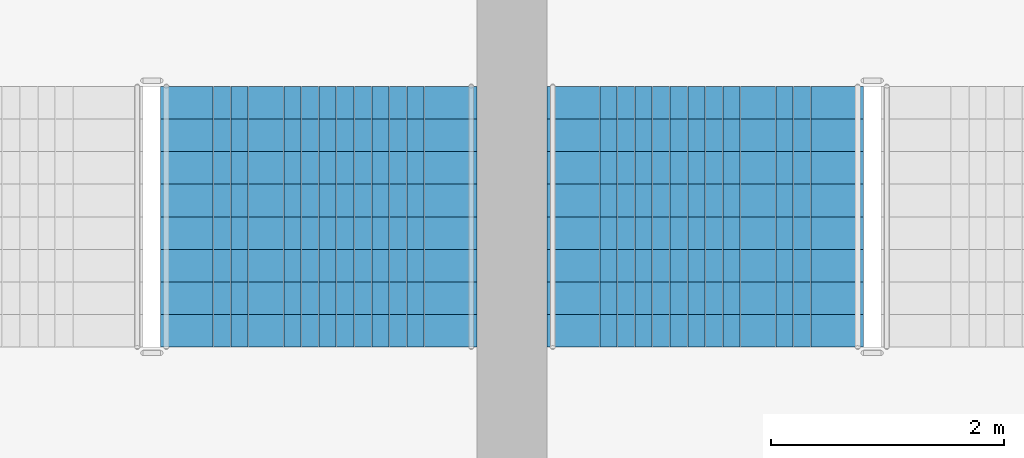
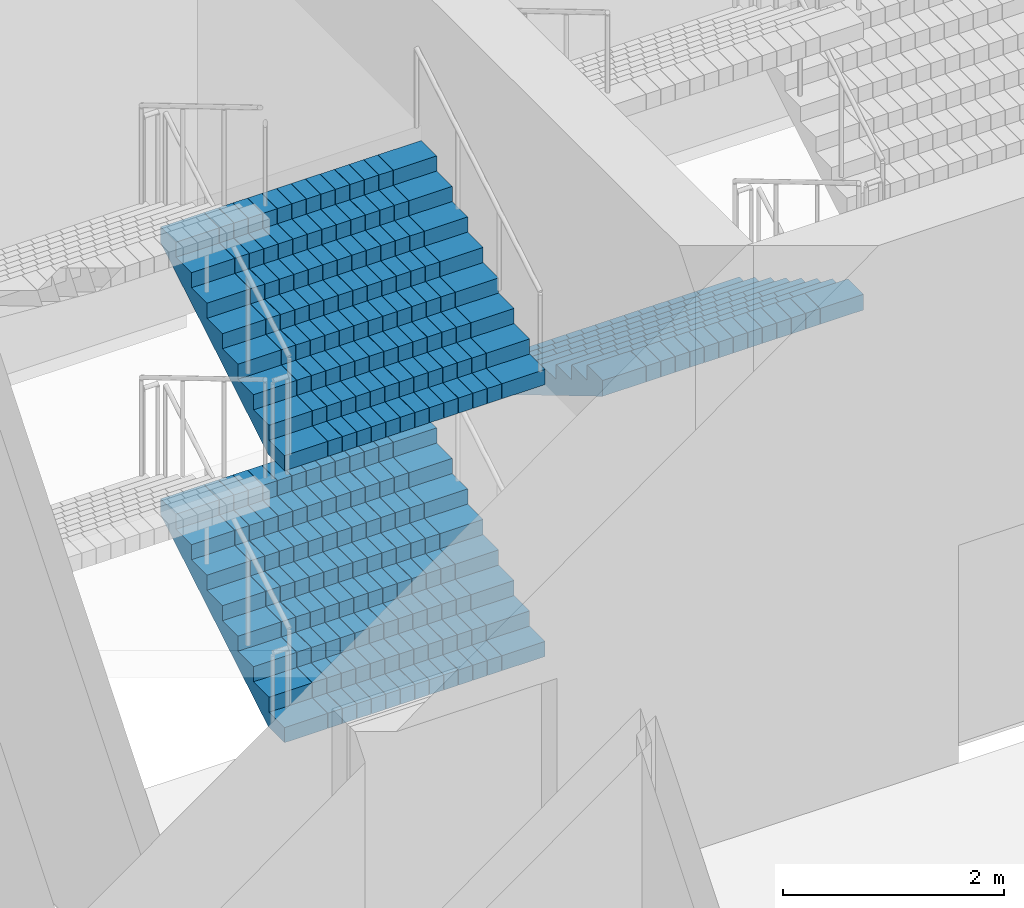
# One storey, part 43 of 61: 3 stair flights, 2 elements without a shape of their own.
"""IFC4 building model written with IfcOpenShell, lengths in metres."""

from ifc_helpers import new_model, si_unit, direction, frame, origin, place, context, subcontext, project, spatial, polyline, outline, extrude, material, type_object, element, aggregate, save


model = new_model("IFC4")

# Units and contexts
model_context = context("Model", 3, precision=1e-05, world=origin(), true_north=direction((0.0, 1.0)))
body_context = subcontext(model_context, "Body", "Model", "MODEL_VIEW")
ifc_project = project(units=[si_unit("LENGTHUNIT", "METRE"), si_unit("AREAUNIT", "SQUARE_METRE"), si_unit("VOLUMEUNIT", "CUBIC_METRE"), si_unit("PLANEANGLEUNIT", "RADIAN"), si_unit("MASSUNIT", "GRAM", prefix="KILO")], contexts=[model_context])

# Site, building, storey
site_placement = place(None, origin())
site = spatial("IfcSite", under=ifc_project, at=site_placement, CompositionType="ELEMENT")
building_placement = place(site_placement, origin())
building = spatial("IfcBuilding", under=site, at=building_placement, Name="Corbelhall Arena Tower", CompositionType="ELEMENT")
storey_placement = place(building_placement, frame((0.0, 0.0, 31.0)))
storey = spatial("IfcBuildingStorey", under=building, at=storey_placement, Name="L04", CompositionType="ELEMENT", Elevation=31.0)

# Stair, stair flight
ifc_material = material(Name="Reinforced concrete C40/50", Category="concrete")
stair_type = type_object("IfcStairType", Name="AR-EXIT-STAIR", PredefinedType="HALF_TURN_STAIR", material=ifc_material)
stair_1_placement = place(storey_placement, origin())
stair_1 = element("IfcStair", 1, at=stair_1_placement, inside=storey, type_object=stair_type, Name="L04 exit stair AS3", PredefinedType="HALF_TURN_STAIR")
stair_flight_type = type_object("IfcStairFlightType", Name="AR-EXIT-FLIGHT", PredefinedType="STRAIGHT", material=ifc_material)
stair_flight_1_placement = place(storey_placement, frame((-38.840087890625, 29.56005859375, 1.5), z_axis=(0.0, 0.0, 1.0), x_axis=(0.0, -1.0, 0.0)))
stair_flight_1 = element("IfcStairFlight", 2, at=stair_flight_1_placement, type_object=stair_flight_type, Name="AS3 flight 2", NumberOfRisers=9, NumberOfTreads=8, PredefinedType="STRAIGHT", RiserHeight=0.166666667, TreadLength=0.28, context=body_context, shape_type="SweptSolid", body=[
    extrude(outline(polyline([(0.0, 0.0), (0.0, 0.166748046875), (0.280029296875, 0.166748046875), (0.280029296875, 0.333251953125), (0.56005859375, 0.333251953125), (0.56005859375, 0.5), (0.840087890625, 0.5), (0.840087890625, 0.666748046875), (1.1201171875, 0.666748046875), (1.1201171875, 0.833251953125), (1.39990234375, 0.833251953125), (1.39990234375, 1.0), (1.679931640625, 1.0), (1.679931640625, 1.166748046875), (1.9599609375, 1.166748046875), (1.9599609375, 1.333251953125), (2.239990234375, 1.333251953125), (2.239990234375, 1.5), (2.239990234375, 1.158935546875), (0.29296875, 0.0), (0.0, 0.0)])), frame((0.0, 1.35986328125, 0.0), z_axis=(0.0, -1.0, 0.0), x_axis=(1.0, 0.0, 0.0)), (0.0, 0.0, 1.0), 0.449951171875),
    extrude(outline(polyline([(0.0, 0.0), (0.0, 0.166748046875), (0.280029296875, 0.166748046875), (0.280029296875, 0.333251953125), (0.56005859375, 0.333251953125), (0.56005859375, 0.5), (0.840087890625, 0.5), (0.840087890625, 0.666748046875), (1.1201171875, 0.666748046875), (1.1201171875, 0.833251953125), (1.39990234375, 0.833251953125), (1.39990234375, 1.0), (1.679931640625, 1.0), (1.679931640625, 1.166748046875), (1.9599609375, 1.166748046875), (1.9599609375, 1.333251953125), (2.239990234375, 1.333251953125), (2.239990234375, 1.5), (2.239990234375, 1.158935546875), (0.29296875, 0.0), (0.0, 0.0)])), frame((0.0, 0.906005859375, 0.0), z_axis=(0.0, -1.0, 0.0), x_axis=(1.0, 0.0, 0.0)), (0.0, 0.0, 1.0), 0.147216796875),
    extrude(outline(polyline([(0.0, 0.0), (0.0, 0.166748046875), (0.280029296875, 0.166748046875), (0.280029296875, 0.333251953125), (0.56005859375, 0.333251953125), (0.56005859375, 0.5), (0.840087890625, 0.5), (0.840087890625, 0.666748046875), (1.1201171875, 0.666748046875), (1.1201171875, 0.833251953125), (1.39990234375, 0.833251953125), (1.39990234375, 1.0), (1.679931640625, 1.0), (1.679931640625, 1.166748046875), (1.9599609375, 1.166748046875), (1.9599609375, 1.333251953125), (2.239990234375, 1.333251953125), (2.239990234375, 1.5), (2.239990234375, 1.158935546875), (0.29296875, 0.0), (0.0, 0.0)])), frame((0.0, 0.754638671875, 0.0), z_axis=(0.0, -1.0, 0.0), x_axis=(1.0, 0.0, 0.0)), (0.0, 0.0, 1.0), 0.147216796875),
    extrude(outline(polyline([(0.0, 0.0), (0.0, 0.166748046875), (0.280029296875, 0.166748046875), (0.280029296875, 0.333251953125), (0.56005859375, 0.333251953125), (0.56005859375, 0.5), (0.840087890625, 0.5), (0.840087890625, 0.666748046875), (1.1201171875, 0.666748046875), (1.1201171875, 0.833251953125), (1.39990234375, 0.833251953125), (1.39990234375, 1.0), (1.679931640625, 1.0), (1.679931640625, 1.166748046875), (1.9599609375, 1.166748046875), (1.9599609375, 1.333251953125), (2.239990234375, 1.333251953125), (2.239990234375, 1.5), (2.239990234375, 1.158935546875), (0.29296875, 0.0), (0.0, 0.0)])), frame((0.0, 0.603271484375, 0.0), z_axis=(0.0, -1.0, 0.0), x_axis=(1.0, 0.0, 0.0)), (0.0, 0.0, 1.0), 0.147216796875),
    extrude(outline(polyline([(0.0, 0.0), (0.0, 0.166748046875), (0.280029296875, 0.166748046875), (0.280029296875, 0.333251953125), (0.56005859375, 0.333251953125), (0.56005859375, 0.5), (0.840087890625, 0.5), (0.840087890625, 0.666748046875), (1.1201171875, 0.666748046875), (1.1201171875, 0.833251953125), (1.39990234375, 0.833251953125), (1.39990234375, 1.0), (1.679931640625, 1.0), (1.679931640625, 1.166748046875), (1.9599609375, 1.166748046875), (1.9599609375, 1.333251953125), (2.239990234375, 1.333251953125), (2.239990234375, 1.5), (2.239990234375, 1.158935546875), (0.29296875, 0.0), (0.0, 0.0)])), frame((0.0, 0.451904296875, 0.0), z_axis=(0.0, -1.0, 0.0), x_axis=(1.0, 0.0, 0.0)), (0.0, 0.0, 1.0), 0.147216796875),
    extrude(outline(polyline([(0.0, 0.0), (0.0, 0.166748046875), (0.280029296875, 0.166748046875), (0.280029296875, 0.333251953125), (0.56005859375, 0.333251953125), (0.56005859375, 0.5), (0.840087890625, 0.5), (0.840087890625, 0.666748046875), (1.1201171875, 0.666748046875), (1.1201171875, 0.833251953125), (1.39990234375, 0.833251953125), (1.39990234375, 1.0), (1.679931640625, 1.0), (1.679931640625, 1.166748046875), (1.9599609375, 1.166748046875), (1.9599609375, 1.333251953125), (2.239990234375, 1.333251953125), (2.239990234375, 1.5), (2.239990234375, 1.158935546875), (0.29296875, 0.0), (0.0, 0.0)])), frame((0.0, 0.30078125, 0.0), z_axis=(0.0, -1.0, 0.0), x_axis=(1.0, 0.0, 0.0)), (0.0, 0.0, 1.0), 0.147216796875),
    extrude(outline(polyline([(0.0, 0.0), (0.0, 0.166748046875), (0.280029296875, 0.166748046875), (0.280029296875, 0.333251953125), (0.56005859375, 0.333251953125), (0.56005859375, 0.5), (0.840087890625, 0.5), (0.840087890625, 0.666748046875), (1.1201171875, 0.666748046875), (1.1201171875, 0.833251953125), (1.39990234375, 0.833251953125), (1.39990234375, 1.0), (1.679931640625, 1.0), (1.679931640625, 1.166748046875), (1.9599609375, 1.166748046875), (1.9599609375, 1.333251953125), (2.239990234375, 1.333251953125), (2.239990234375, 1.5), (2.239990234375, 1.158935546875), (0.29296875, 0.0), (0.0, 0.0)])), frame((0.0, 0.1494140625, 0.0), z_axis=(0.0, -1.0, 0.0), x_axis=(1.0, 0.0, 0.0)), (0.0, 0.0, 1.0), 0.147216796875),
    extrude(outline(polyline([(0.0, 0.0), (0.0, 0.166748046875), (0.280029296875, 0.166748046875), (0.280029296875, 0.333251953125), (0.56005859375, 0.333251953125), (0.56005859375, 0.5), (0.840087890625, 0.5), (0.840087890625, 0.666748046875), (1.1201171875, 0.666748046875), (1.1201171875, 0.833251953125), (1.39990234375, 0.833251953125), (1.39990234375, 1.0), (1.679931640625, 1.0), (1.679931640625, 1.166748046875), (1.9599609375, 1.166748046875), (1.9599609375, 1.333251953125), (2.239990234375, 1.333251953125), (2.239990234375, 1.5), (2.239990234375, 1.158935546875), (0.29296875, 0.0), (0.0, 0.0)])), frame((0.0, -0.001953125, 0.0), z_axis=(0.0, -1.0, 0.0), x_axis=(1.0, 0.0, 0.0)), (0.0, 0.0, 1.0), 0.147216796875),
    extrude(outline(polyline([(0.0, 0.0), (0.0, 0.166748046875), (0.280029296875, 0.166748046875), (0.280029296875, 0.333251953125), (0.56005859375, 0.333251953125), (0.56005859375, 0.5), (0.840087890625, 0.5), (0.840087890625, 0.666748046875), (1.1201171875, 0.666748046875), (1.1201171875, 0.833251953125), (1.39990234375, 0.833251953125), (1.39990234375, 1.0), (1.679931640625, 1.0), (1.679931640625, 1.166748046875), (1.9599609375, 1.166748046875), (1.9599609375, 1.333251953125), (2.239990234375, 1.333251953125), (2.239990234375, 1.5), (2.239990234375, 1.158935546875), (0.29296875, 0.0), (0.0, 0.0)])), frame((0.0, -0.1533203125, 0.0), z_axis=(0.0, -1.0, 0.0), x_axis=(1.0, 0.0, 0.0)), (0.0, 0.0, 1.0), 0.147216796875),
    extrude(outline(polyline([(0.0, 0.0), (0.0, 0.166748046875), (0.280029296875, 0.166748046875), (0.280029296875, 0.333251953125), (0.56005859375, 0.333251953125), (0.56005859375, 0.5), (0.840087890625, 0.5), (0.840087890625, 0.666748046875), (1.1201171875, 0.666748046875), (1.1201171875, 0.833251953125), (1.39990234375, 0.833251953125), (1.39990234375, 1.0), (1.679931640625, 1.0), (1.679931640625, 1.166748046875), (1.9599609375, 1.166748046875), (1.9599609375, 1.333251953125), (2.239990234375, 1.333251953125), (2.239990234375, 1.5), (2.239990234375, 1.158935546875), (0.29296875, 0.0), (0.0, 0.0)])), frame((0.0, -0.3046875, 0.0), z_axis=(0.0, -1.0, 0.0), x_axis=(1.0, 0.0, 0.0)), (0.0, 0.0, 1.0), 0.147216796875),
    extrude(outline(polyline([(0.0, 0.0), (0.0, 0.166748046875), (0.280029296875, 0.166748046875), (0.280029296875, 0.333251953125), (0.56005859375, 0.333251953125), (0.56005859375, 0.5), (0.840087890625, 0.5), (0.840087890625, 0.666748046875), (1.1201171875, 0.666748046875), (1.1201171875, 0.833251953125), (1.39990234375, 0.833251953125), (1.39990234375, 1.0), (1.679931640625, 1.0), (1.679931640625, 1.166748046875), (1.9599609375, 1.166748046875), (1.9599609375, 1.333251953125), (2.239990234375, 1.333251953125), (2.239990234375, 1.5), (2.239990234375, 1.158935546875), (0.29296875, 0.0), (0.0, 0.0)])), frame((0.0, -0.4560546875, 0.0), z_axis=(0.0, -1.0, 0.0), x_axis=(1.0, 0.0, 0.0)), (0.0, 0.0, 1.0), 0.147216796875),
    extrude(outline(polyline([(0.0, 0.0), (0.0, 0.166748046875), (0.280029296875, 0.166748046875), (0.280029296875, 0.333251953125), (0.56005859375, 0.333251953125), (0.56005859375, 0.5), (0.840087890625, 0.5), (0.840087890625, 0.666748046875), (1.1201171875, 0.666748046875), (1.1201171875, 0.833251953125), (1.39990234375, 0.833251953125), (1.39990234375, 1.0), (1.679931640625, 1.0), (1.679931640625, 1.166748046875), (1.9599609375, 1.166748046875), (1.9599609375, 1.333251953125), (2.239990234375, 1.333251953125), (2.239990234375, 1.5), (2.239990234375, 1.158935546875), (0.29296875, 0.0), (0.0, 0.0)])), frame((0.0, -0.607421875, 0.0), z_axis=(0.0, -1.0, 0.0), x_axis=(1.0, 0.0, 0.0)), (0.0, 0.0, 1.0), 0.147216796875),
    extrude(outline(polyline([(0.0, 0.0), (0.0, 0.166748046875), (0.280029296875, 0.166748046875), (0.280029296875, 0.333251953125), (0.56005859375, 0.333251953125), (0.56005859375, 0.5), (0.840087890625, 0.5), (0.840087890625, 0.666748046875), (1.1201171875, 0.666748046875), (1.1201171875, 0.833251953125), (1.39990234375, 0.833251953125), (1.39990234375, 1.0), (1.679931640625, 1.0), (1.679931640625, 1.166748046875), (1.9599609375, 1.166748046875), (1.9599609375, 1.333251953125), (2.239990234375, 1.333251953125), (2.239990234375, 1.5), (2.239990234375, 1.158935546875), (0.29296875, 0.0), (0.0, 0.0)])), frame((0.0, -0.758544921875, 0.0), z_axis=(0.0, -1.0, 0.0), x_axis=(1.0, 0.0, 0.0)), (0.0, 0.0, 1.0), 0.147216796875),
    extrude(outline(polyline([(0.0, 0.0), (0.0, 0.166748046875), (0.280029296875, 0.166748046875), (0.280029296875, 0.333251953125), (0.56005859375, 0.333251953125), (0.56005859375, 0.5), (0.840087890625, 0.5), (0.840087890625, 0.666748046875), (1.1201171875, 0.666748046875), (1.1201171875, 0.833251953125), (1.39990234375, 0.833251953125), (1.39990234375, 1.0), (1.679931640625, 1.0), (1.679931640625, 1.166748046875), (1.9599609375, 1.166748046875), (1.9599609375, 1.333251953125), (2.239990234375, 1.333251953125), (2.239990234375, 1.5), (2.239990234375, 1.158935546875), (0.29296875, 0.0), (0.0, 0.0)])), frame((0.0, -0.909912109375, 0.0), z_axis=(0.0, -1.0, 0.0), x_axis=(1.0, 0.0, 0.0)), (0.0, 0.0, 1.0), 0.449951171875),
])
aggregate(stair_1, [stair_flight_1])

# Stair, stair flights
stair_2_placement = place(storey_placement, origin())
stair_2 = element("IfcStair", 3, at=stair_2_placement, inside=storey, type_object=stair_type, Name="L04 exit stair AS4", PredefinedType="HALF_TURN_STAIR")
stair_flight_2_placement = place(storey_placement, frame((-42.159912109375, 27.320068359375, 0.0), z_axis=(0.0, 0.0, 1.0), x_axis=(0.0, 1.0, 0.0)))
stair_flight_2 = element("IfcStairFlight", 4, at=stair_flight_2_placement, type_object=stair_flight_type, Name="AS4 flight 1", NumberOfRisers=9, NumberOfTreads=8, PredefinedType="STRAIGHT", RiserHeight=0.166666667, TreadLength=0.28, context=body_context, shape_type="SweptSolid", body=[
    extrude(outline(polyline([(0.0, 0.0), (0.0, 0.166748046875), (0.280029296875, 0.166748046875), (0.280029296875, 0.333251953125), (0.56005859375, 0.333251953125), (0.56005859375, 0.5), (0.840087890625, 0.5), (0.840087890625, 0.666748046875), (1.1201171875, 0.666748046875), (1.1201171875, 0.833251953125), (1.39990234375, 0.833251953125), (1.39990234375, 1.0), (1.679931640625, 1.0), (1.679931640625, 1.166748046875), (1.9599609375, 1.166748046875), (1.9599609375, 1.333251953125), (2.239990234375, 1.333251953125), (2.239990234375, 1.5), (2.239990234375, 1.158935546875), (0.29296875, 0.0), (0.0, 0.0)])), frame((0.0, 1.35986328125, 0.0), z_axis=(0.0, -1.0, 0.0), x_axis=(1.0, 0.0, 0.0)), (0.0, 0.0, 1.0), 0.449951171875),
    extrude(outline(polyline([(0.0, 0.0), (0.0, 0.166748046875), (0.280029296875, 0.166748046875), (0.280029296875, 0.333251953125), (0.56005859375, 0.333251953125), (0.56005859375, 0.5), (0.840087890625, 0.5), (0.840087890625, 0.666748046875), (1.1201171875, 0.666748046875), (1.1201171875, 0.833251953125), (1.39990234375, 0.833251953125), (1.39990234375, 1.0), (1.679931640625, 1.0), (1.679931640625, 1.166748046875), (1.9599609375, 1.166748046875), (1.9599609375, 1.333251953125), (2.239990234375, 1.333251953125), (2.239990234375, 1.5), (2.239990234375, 1.158935546875), (0.29296875, 0.0), (0.0, 0.0)])), frame((0.0, 0.906005859375, 0.0), z_axis=(0.0, -1.0, 0.0), x_axis=(1.0, 0.0, 0.0)), (0.0, 0.0, 1.0), 0.147216796875),
    extrude(outline(polyline([(0.0, 0.0), (0.0, 0.166748046875), (0.280029296875, 0.166748046875), (0.280029296875, 0.333251953125), (0.56005859375, 0.333251953125), (0.56005859375, 0.5), (0.840087890625, 0.5), (0.840087890625, 0.666748046875), (1.1201171875, 0.666748046875), (1.1201171875, 0.833251953125), (1.39990234375, 0.833251953125), (1.39990234375, 1.0), (1.679931640625, 1.0), (1.679931640625, 1.166748046875), (1.9599609375, 1.166748046875), (1.9599609375, 1.333251953125), (2.239990234375, 1.333251953125), (2.239990234375, 1.5), (2.239990234375, 1.158935546875), (0.29296875, 0.0), (0.0, 0.0)])), frame((0.0, 0.754638671875, 0.0), z_axis=(0.0, -1.0, 0.0), x_axis=(1.0, 0.0, 0.0)), (0.0, 0.0, 1.0), 0.147216796875),
    extrude(outline(polyline([(0.0, 0.0), (0.0, 0.166748046875), (0.280029296875, 0.166748046875), (0.280029296875, 0.333251953125), (0.56005859375, 0.333251953125), (0.56005859375, 0.5), (0.840087890625, 0.5), (0.840087890625, 0.666748046875), (1.1201171875, 0.666748046875), (1.1201171875, 0.833251953125), (1.39990234375, 0.833251953125), (1.39990234375, 1.0), (1.679931640625, 1.0), (1.679931640625, 1.166748046875), (1.9599609375, 1.166748046875), (1.9599609375, 1.333251953125), (2.239990234375, 1.333251953125), (2.239990234375, 1.5), (2.239990234375, 1.158935546875), (0.29296875, 0.0), (0.0, 0.0)])), frame((0.0, 0.603271484375, 0.0), z_axis=(0.0, -1.0, 0.0), x_axis=(1.0, 0.0, 0.0)), (0.0, 0.0, 1.0), 0.147216796875),
    extrude(outline(polyline([(0.0, 0.0), (0.0, 0.166748046875), (0.280029296875, 0.166748046875), (0.280029296875, 0.333251953125), (0.56005859375, 0.333251953125), (0.56005859375, 0.5), (0.840087890625, 0.5), (0.840087890625, 0.666748046875), (1.1201171875, 0.666748046875), (1.1201171875, 0.833251953125), (1.39990234375, 0.833251953125), (1.39990234375, 1.0), (1.679931640625, 1.0), (1.679931640625, 1.166748046875), (1.9599609375, 1.166748046875), (1.9599609375, 1.333251953125), (2.239990234375, 1.333251953125), (2.239990234375, 1.5), (2.239990234375, 1.158935546875), (0.29296875, 0.0), (0.0, 0.0)])), frame((0.0, 0.451904296875, 0.0), z_axis=(0.0, -1.0, 0.0), x_axis=(1.0, 0.0, 0.0)), (0.0, 0.0, 1.0), 0.147216796875),
    extrude(outline(polyline([(0.0, 0.0), (0.0, 0.166748046875), (0.280029296875, 0.166748046875), (0.280029296875, 0.333251953125), (0.56005859375, 0.333251953125), (0.56005859375, 0.5), (0.840087890625, 0.5), (0.840087890625, 0.666748046875), (1.1201171875, 0.666748046875), (1.1201171875, 0.833251953125), (1.39990234375, 0.833251953125), (1.39990234375, 1.0), (1.679931640625, 1.0), (1.679931640625, 1.166748046875), (1.9599609375, 1.166748046875), (1.9599609375, 1.333251953125), (2.239990234375, 1.333251953125), (2.239990234375, 1.5), (2.239990234375, 1.158935546875), (0.29296875, 0.0), (0.0, 0.0)])), frame((0.0, 0.30078125, 0.0), z_axis=(0.0, -1.0, 0.0), x_axis=(1.0, 0.0, 0.0)), (0.0, 0.0, 1.0), 0.147216796875),
    extrude(outline(polyline([(0.0, 0.0), (0.0, 0.166748046875), (0.280029296875, 0.166748046875), (0.280029296875, 0.333251953125), (0.56005859375, 0.333251953125), (0.56005859375, 0.5), (0.840087890625, 0.5), (0.840087890625, 0.666748046875), (1.1201171875, 0.666748046875), (1.1201171875, 0.833251953125), (1.39990234375, 0.833251953125), (1.39990234375, 1.0), (1.679931640625, 1.0), (1.679931640625, 1.166748046875), (1.9599609375, 1.166748046875), (1.9599609375, 1.333251953125), (2.239990234375, 1.333251953125), (2.239990234375, 1.5), (2.239990234375, 1.158935546875), (0.29296875, 0.0), (0.0, 0.0)])), frame((0.0, 0.1494140625, 0.0), z_axis=(0.0, -1.0, 0.0), x_axis=(1.0, 0.0, 0.0)), (0.0, 0.0, 1.0), 0.147216796875),
    extrude(outline(polyline([(0.0, 0.0), (0.0, 0.166748046875), (0.280029296875, 0.166748046875), (0.280029296875, 0.333251953125), (0.56005859375, 0.333251953125), (0.56005859375, 0.5), (0.840087890625, 0.5), (0.840087890625, 0.666748046875), (1.1201171875, 0.666748046875), (1.1201171875, 0.833251953125), (1.39990234375, 0.833251953125), (1.39990234375, 1.0), (1.679931640625, 1.0), (1.679931640625, 1.166748046875), (1.9599609375, 1.166748046875), (1.9599609375, 1.333251953125), (2.239990234375, 1.333251953125), (2.239990234375, 1.5), (2.239990234375, 1.158935546875), (0.29296875, 0.0), (0.0, 0.0)])), frame((0.0, -0.001953125, 0.0), z_axis=(0.0, -1.0, 0.0), x_axis=(1.0, 0.0, 0.0)), (0.0, 0.0, 1.0), 0.147216796875),
    extrude(outline(polyline([(0.0, 0.0), (0.0, 0.166748046875), (0.280029296875, 0.166748046875), (0.280029296875, 0.333251953125), (0.56005859375, 0.333251953125), (0.56005859375, 0.5), (0.840087890625, 0.5), (0.840087890625, 0.666748046875), (1.1201171875, 0.666748046875), (1.1201171875, 0.833251953125), (1.39990234375, 0.833251953125), (1.39990234375, 1.0), (1.679931640625, 1.0), (1.679931640625, 1.166748046875), (1.9599609375, 1.166748046875), (1.9599609375, 1.333251953125), (2.239990234375, 1.333251953125), (2.239990234375, 1.5), (2.239990234375, 1.158935546875), (0.29296875, 0.0), (0.0, 0.0)])), frame((0.0, -0.1533203125, 0.0), z_axis=(0.0, -1.0, 0.0), x_axis=(1.0, 0.0, 0.0)), (0.0, 0.0, 1.0), 0.147216796875),
    extrude(outline(polyline([(0.0, 0.0), (0.0, 0.166748046875), (0.280029296875, 0.166748046875), (0.280029296875, 0.333251953125), (0.56005859375, 0.333251953125), (0.56005859375, 0.5), (0.840087890625, 0.5), (0.840087890625, 0.666748046875), (1.1201171875, 0.666748046875), (1.1201171875, 0.833251953125), (1.39990234375, 0.833251953125), (1.39990234375, 1.0), (1.679931640625, 1.0), (1.679931640625, 1.166748046875), (1.9599609375, 1.166748046875), (1.9599609375, 1.333251953125), (2.239990234375, 1.333251953125), (2.239990234375, 1.5), (2.239990234375, 1.158935546875), (0.29296875, 0.0), (0.0, 0.0)])), frame((0.0, -0.3046875, 0.0), z_axis=(0.0, -1.0, 0.0), x_axis=(1.0, 0.0, 0.0)), (0.0, 0.0, 1.0), 0.147216796875),
    extrude(outline(polyline([(0.0, 0.0), (0.0, 0.166748046875), (0.280029296875, 0.166748046875), (0.280029296875, 0.333251953125), (0.56005859375, 0.333251953125), (0.56005859375, 0.5), (0.840087890625, 0.5), (0.840087890625, 0.666748046875), (1.1201171875, 0.666748046875), (1.1201171875, 0.833251953125), (1.39990234375, 0.833251953125), (1.39990234375, 1.0), (1.679931640625, 1.0), (1.679931640625, 1.166748046875), (1.9599609375, 1.166748046875), (1.9599609375, 1.333251953125), (2.239990234375, 1.333251953125), (2.239990234375, 1.5), (2.239990234375, 1.158935546875), (0.29296875, 0.0), (0.0, 0.0)])), frame((0.0, -0.4560546875, 0.0), z_axis=(0.0, -1.0, 0.0), x_axis=(1.0, 0.0, 0.0)), (0.0, 0.0, 1.0), 0.147216796875),
    extrude(outline(polyline([(0.0, 0.0), (0.0, 0.166748046875), (0.280029296875, 0.166748046875), (0.280029296875, 0.333251953125), (0.56005859375, 0.333251953125), (0.56005859375, 0.5), (0.840087890625, 0.5), (0.840087890625, 0.666748046875), (1.1201171875, 0.666748046875), (1.1201171875, 0.833251953125), (1.39990234375, 0.833251953125), (1.39990234375, 1.0), (1.679931640625, 1.0), (1.679931640625, 1.166748046875), (1.9599609375, 1.166748046875), (1.9599609375, 1.333251953125), (2.239990234375, 1.333251953125), (2.239990234375, 1.5), (2.239990234375, 1.158935546875), (0.29296875, 0.0), (0.0, 0.0)])), frame((0.0, -0.607421875, 0.0), z_axis=(0.0, -1.0, 0.0), x_axis=(1.0, 0.0, 0.0)), (0.0, 0.0, 1.0), 0.147216796875),
    extrude(outline(polyline([(0.0, 0.0), (0.0, 0.166748046875), (0.280029296875, 0.166748046875), (0.280029296875, 0.333251953125), (0.56005859375, 0.333251953125), (0.56005859375, 0.5), (0.840087890625, 0.5), (0.840087890625, 0.666748046875), (1.1201171875, 0.666748046875), (1.1201171875, 0.833251953125), (1.39990234375, 0.833251953125), (1.39990234375, 1.0), (1.679931640625, 1.0), (1.679931640625, 1.166748046875), (1.9599609375, 1.166748046875), (1.9599609375, 1.333251953125), (2.239990234375, 1.333251953125), (2.239990234375, 1.5), (2.239990234375, 1.158935546875), (0.29296875, 0.0), (0.0, 0.0)])), frame((0.0, -0.758544921875, 0.0), z_axis=(0.0, -1.0, 0.0), x_axis=(1.0, 0.0, 0.0)), (0.0, 0.0, 1.0), 0.147216796875),
    extrude(outline(polyline([(0.0, 0.0), (0.0, 0.166748046875), (0.280029296875, 0.166748046875), (0.280029296875, 0.333251953125), (0.56005859375, 0.333251953125), (0.56005859375, 0.5), (0.840087890625, 0.5), (0.840087890625, 0.666748046875), (1.1201171875, 0.666748046875), (1.1201171875, 0.833251953125), (1.39990234375, 0.833251953125), (1.39990234375, 1.0), (1.679931640625, 1.0), (1.679931640625, 1.166748046875), (1.9599609375, 1.166748046875), (1.9599609375, 1.333251953125), (2.239990234375, 1.333251953125), (2.239990234375, 1.5), (2.239990234375, 1.158935546875), (0.29296875, 0.0), (0.0, 0.0)])), frame((0.0, -0.909912109375, 0.0), z_axis=(0.0, -1.0, 0.0), x_axis=(1.0, 0.0, 0.0)), (0.0, 0.0, 1.0), 0.449951171875),
])
stair_flight_3_placement = place(storey_placement, frame((-42.159912109375, 27.320068359375, 3.0), z_axis=(0.0, 0.0, 1.0), x_axis=(0.0, 1.0, 0.0)))
stair_flight_3 = element("IfcStairFlight", 5, at=stair_flight_3_placement, type_object=stair_flight_type, Name="AS4 flight 3", NumberOfRisers=9, NumberOfTreads=8, PredefinedType="STRAIGHT", RiserHeight=0.166666667, TreadLength=0.28, context=body_context, shape_type="SweptSolid", body=[
    extrude(outline(polyline([(0.0, 0.0), (0.0, 0.166748046875), (0.280029296875, 0.166748046875), (0.280029296875, 0.333251953125), (0.56005859375, 0.333251953125), (0.56005859375, 0.5), (0.840087890625, 0.5), (0.840087890625, 0.666748046875), (1.1201171875, 0.666748046875), (1.1201171875, 0.833251953125), (1.39990234375, 0.833251953125), (1.39990234375, 1.0), (1.679931640625, 1.0), (1.679931640625, 1.166748046875), (1.9599609375, 1.166748046875), (1.9599609375, 1.333251953125), (2.239990234375, 1.333251953125), (2.239990234375, 1.5), (2.239990234375, 1.158935546875), (0.29296875, 0.0), (0.0, 0.0)])), frame((0.0, 1.35986328125, 0.0), z_axis=(0.0, -1.0, 0.0), x_axis=(1.0, 0.0, 0.0)), (0.0, 0.0, 1.0), 0.449951171875),
    extrude(outline(polyline([(0.0, 0.0), (0.0, 0.166748046875), (0.280029296875, 0.166748046875), (0.280029296875, 0.333251953125), (0.56005859375, 0.333251953125), (0.56005859375, 0.5), (0.840087890625, 0.5), (0.840087890625, 0.666748046875), (1.1201171875, 0.666748046875), (1.1201171875, 0.833251953125), (1.39990234375, 0.833251953125), (1.39990234375, 1.0), (1.679931640625, 1.0), (1.679931640625, 1.166748046875), (1.9599609375, 1.166748046875), (1.9599609375, 1.333251953125), (2.239990234375, 1.333251953125), (2.239990234375, 1.5), (2.239990234375, 1.158935546875), (0.29296875, 0.0), (0.0, 0.0)])), frame((0.0, 0.906005859375, 0.0), z_axis=(0.0, -1.0, 0.0), x_axis=(1.0, 0.0, 0.0)), (0.0, 0.0, 1.0), 0.147216796875),
    extrude(outline(polyline([(0.0, 0.0), (0.0, 0.166748046875), (0.280029296875, 0.166748046875), (0.280029296875, 0.333251953125), (0.56005859375, 0.333251953125), (0.56005859375, 0.5), (0.840087890625, 0.5), (0.840087890625, 0.666748046875), (1.1201171875, 0.666748046875), (1.1201171875, 0.833251953125), (1.39990234375, 0.833251953125), (1.39990234375, 1.0), (1.679931640625, 1.0), (1.679931640625, 1.166748046875), (1.9599609375, 1.166748046875), (1.9599609375, 1.333251953125), (2.239990234375, 1.333251953125), (2.239990234375, 1.5), (2.239990234375, 1.158935546875), (0.29296875, 0.0), (0.0, 0.0)])), frame((0.0, 0.754638671875, 0.0), z_axis=(0.0, -1.0, 0.0), x_axis=(1.0, 0.0, 0.0)), (0.0, 0.0, 1.0), 0.147216796875),
    extrude(outline(polyline([(0.0, 0.0), (0.0, 0.166748046875), (0.280029296875, 0.166748046875), (0.280029296875, 0.333251953125), (0.56005859375, 0.333251953125), (0.56005859375, 0.5), (0.840087890625, 0.5), (0.840087890625, 0.666748046875), (1.1201171875, 0.666748046875), (1.1201171875, 0.833251953125), (1.39990234375, 0.833251953125), (1.39990234375, 1.0), (1.679931640625, 1.0), (1.679931640625, 1.166748046875), (1.9599609375, 1.166748046875), (1.9599609375, 1.333251953125), (2.239990234375, 1.333251953125), (2.239990234375, 1.5), (2.239990234375, 1.158935546875), (0.29296875, 0.0), (0.0, 0.0)])), frame((0.0, 0.603271484375, 0.0), z_axis=(0.0, -1.0, 0.0), x_axis=(1.0, 0.0, 0.0)), (0.0, 0.0, 1.0), 0.147216796875),
    extrude(outline(polyline([(0.0, 0.0), (0.0, 0.166748046875), (0.280029296875, 0.166748046875), (0.280029296875, 0.333251953125), (0.56005859375, 0.333251953125), (0.56005859375, 0.5), (0.840087890625, 0.5), (0.840087890625, 0.666748046875), (1.1201171875, 0.666748046875), (1.1201171875, 0.833251953125), (1.39990234375, 0.833251953125), (1.39990234375, 1.0), (1.679931640625, 1.0), (1.679931640625, 1.166748046875), (1.9599609375, 1.166748046875), (1.9599609375, 1.333251953125), (2.239990234375, 1.333251953125), (2.239990234375, 1.5), (2.239990234375, 1.158935546875), (0.29296875, 0.0), (0.0, 0.0)])), frame((0.0, 0.451904296875, 0.0), z_axis=(0.0, -1.0, 0.0), x_axis=(1.0, 0.0, 0.0)), (0.0, 0.0, 1.0), 0.147216796875),
    extrude(outline(polyline([(0.0, 0.0), (0.0, 0.166748046875), (0.280029296875, 0.166748046875), (0.280029296875, 0.333251953125), (0.56005859375, 0.333251953125), (0.56005859375, 0.5), (0.840087890625, 0.5), (0.840087890625, 0.666748046875), (1.1201171875, 0.666748046875), (1.1201171875, 0.833251953125), (1.39990234375, 0.833251953125), (1.39990234375, 1.0), (1.679931640625, 1.0), (1.679931640625, 1.166748046875), (1.9599609375, 1.166748046875), (1.9599609375, 1.333251953125), (2.239990234375, 1.333251953125), (2.239990234375, 1.5), (2.239990234375, 1.158935546875), (0.29296875, 0.0), (0.0, 0.0)])), frame((0.0, 0.30078125, 0.0), z_axis=(0.0, -1.0, 0.0), x_axis=(1.0, 0.0, 0.0)), (0.0, 0.0, 1.0), 0.147216796875),
    extrude(outline(polyline([(0.0, 0.0), (0.0, 0.166748046875), (0.280029296875, 0.166748046875), (0.280029296875, 0.333251953125), (0.56005859375, 0.333251953125), (0.56005859375, 0.5), (0.840087890625, 0.5), (0.840087890625, 0.666748046875), (1.1201171875, 0.666748046875), (1.1201171875, 0.833251953125), (1.39990234375, 0.833251953125), (1.39990234375, 1.0), (1.679931640625, 1.0), (1.679931640625, 1.166748046875), (1.9599609375, 1.166748046875), (1.9599609375, 1.333251953125), (2.239990234375, 1.333251953125), (2.239990234375, 1.5), (2.239990234375, 1.158935546875), (0.29296875, 0.0), (0.0, 0.0)])), frame((0.0, 0.1494140625, 0.0), z_axis=(0.0, -1.0, 0.0), x_axis=(1.0, 0.0, 0.0)), (0.0, 0.0, 1.0), 0.147216796875),
    extrude(outline(polyline([(0.0, 0.0), (0.0, 0.166748046875), (0.280029296875, 0.166748046875), (0.280029296875, 0.333251953125), (0.56005859375, 0.333251953125), (0.56005859375, 0.5), (0.840087890625, 0.5), (0.840087890625, 0.666748046875), (1.1201171875, 0.666748046875), (1.1201171875, 0.833251953125), (1.39990234375, 0.833251953125), (1.39990234375, 1.0), (1.679931640625, 1.0), (1.679931640625, 1.166748046875), (1.9599609375, 1.166748046875), (1.9599609375, 1.333251953125), (2.239990234375, 1.333251953125), (2.239990234375, 1.5), (2.239990234375, 1.158935546875), (0.29296875, 0.0), (0.0, 0.0)])), frame((0.0, -0.001953125, 0.0), z_axis=(0.0, -1.0, 0.0), x_axis=(1.0, 0.0, 0.0)), (0.0, 0.0, 1.0), 0.147216796875),
    extrude(outline(polyline([(0.0, 0.0), (0.0, 0.166748046875), (0.280029296875, 0.166748046875), (0.280029296875, 0.333251953125), (0.56005859375, 0.333251953125), (0.56005859375, 0.5), (0.840087890625, 0.5), (0.840087890625, 0.666748046875), (1.1201171875, 0.666748046875), (1.1201171875, 0.833251953125), (1.39990234375, 0.833251953125), (1.39990234375, 1.0), (1.679931640625, 1.0), (1.679931640625, 1.166748046875), (1.9599609375, 1.166748046875), (1.9599609375, 1.333251953125), (2.239990234375, 1.333251953125), (2.239990234375, 1.5), (2.239990234375, 1.158935546875), (0.29296875, 0.0), (0.0, 0.0)])), frame((0.0, -0.1533203125, 0.0), z_axis=(0.0, -1.0, 0.0), x_axis=(1.0, 0.0, 0.0)), (0.0, 0.0, 1.0), 0.147216796875),
    extrude(outline(polyline([(0.0, 0.0), (0.0, 0.166748046875), (0.280029296875, 0.166748046875), (0.280029296875, 0.333251953125), (0.56005859375, 0.333251953125), (0.56005859375, 0.5), (0.840087890625, 0.5), (0.840087890625, 0.666748046875), (1.1201171875, 0.666748046875), (1.1201171875, 0.833251953125), (1.39990234375, 0.833251953125), (1.39990234375, 1.0), (1.679931640625, 1.0), (1.679931640625, 1.166748046875), (1.9599609375, 1.166748046875), (1.9599609375, 1.333251953125), (2.239990234375, 1.333251953125), (2.239990234375, 1.5), (2.239990234375, 1.158935546875), (0.29296875, 0.0), (0.0, 0.0)])), frame((0.0, -0.3046875, 0.0), z_axis=(0.0, -1.0, 0.0), x_axis=(1.0, 0.0, 0.0)), (0.0, 0.0, 1.0), 0.147216796875),
    extrude(outline(polyline([(0.0, 0.0), (0.0, 0.166748046875), (0.280029296875, 0.166748046875), (0.280029296875, 0.333251953125), (0.56005859375, 0.333251953125), (0.56005859375, 0.5), (0.840087890625, 0.5), (0.840087890625, 0.666748046875), (1.1201171875, 0.666748046875), (1.1201171875, 0.833251953125), (1.39990234375, 0.833251953125), (1.39990234375, 1.0), (1.679931640625, 1.0), (1.679931640625, 1.166748046875), (1.9599609375, 1.166748046875), (1.9599609375, 1.333251953125), (2.239990234375, 1.333251953125), (2.239990234375, 1.5), (2.239990234375, 1.158935546875), (0.29296875, 0.0), (0.0, 0.0)])), frame((0.0, -0.4560546875, 0.0), z_axis=(0.0, -1.0, 0.0), x_axis=(1.0, 0.0, 0.0)), (0.0, 0.0, 1.0), 0.147216796875),
    extrude(outline(polyline([(0.0, 0.0), (0.0, 0.166748046875), (0.280029296875, 0.166748046875), (0.280029296875, 0.333251953125), (0.56005859375, 0.333251953125), (0.56005859375, 0.5), (0.840087890625, 0.5), (0.840087890625, 0.666748046875), (1.1201171875, 0.666748046875), (1.1201171875, 0.833251953125), (1.39990234375, 0.833251953125), (1.39990234375, 1.0), (1.679931640625, 1.0), (1.679931640625, 1.166748046875), (1.9599609375, 1.166748046875), (1.9599609375, 1.333251953125), (2.239990234375, 1.333251953125), (2.239990234375, 1.5), (2.239990234375, 1.158935546875), (0.29296875, 0.0), (0.0, 0.0)])), frame((0.0, -0.607421875, 0.0), z_axis=(0.0, -1.0, 0.0), x_axis=(1.0, 0.0, 0.0)), (0.0, 0.0, 1.0), 0.147216796875),
    extrude(outline(polyline([(0.0, 0.0), (0.0, 0.166748046875), (0.280029296875, 0.166748046875), (0.280029296875, 0.333251953125), (0.56005859375, 0.333251953125), (0.56005859375, 0.5), (0.840087890625, 0.5), (0.840087890625, 0.666748046875), (1.1201171875, 0.666748046875), (1.1201171875, 0.833251953125), (1.39990234375, 0.833251953125), (1.39990234375, 1.0), (1.679931640625, 1.0), (1.679931640625, 1.166748046875), (1.9599609375, 1.166748046875), (1.9599609375, 1.333251953125), (2.239990234375, 1.333251953125), (2.239990234375, 1.5), (2.239990234375, 1.158935546875), (0.29296875, 0.0), (0.0, 0.0)])), frame((0.0, -0.758544921875, 0.0), z_axis=(0.0, -1.0, 0.0), x_axis=(1.0, 0.0, 0.0)), (0.0, 0.0, 1.0), 0.147216796875),
    extrude(outline(polyline([(0.0, 0.0), (0.0, 0.166748046875), (0.280029296875, 0.166748046875), (0.280029296875, 0.333251953125), (0.56005859375, 0.333251953125), (0.56005859375, 0.5), (0.840087890625, 0.5), (0.840087890625, 0.666748046875), (1.1201171875, 0.666748046875), (1.1201171875, 0.833251953125), (1.39990234375, 0.833251953125), (1.39990234375, 1.0), (1.679931640625, 1.0), (1.679931640625, 1.166748046875), (1.9599609375, 1.166748046875), (1.9599609375, 1.333251953125), (2.239990234375, 1.333251953125), (2.239990234375, 1.5), (2.239990234375, 1.158935546875), (0.29296875, 0.0), (0.0, 0.0)])), frame((0.0, -0.909912109375, 0.0), z_axis=(0.0, -1.0, 0.0), x_axis=(1.0, 0.0, 0.0)), (0.0, 0.0, 1.0), 0.449951171875),
])
aggregate(stair_2, [stair_flight_2, stair_flight_3])

save(model, "model.ifc")
